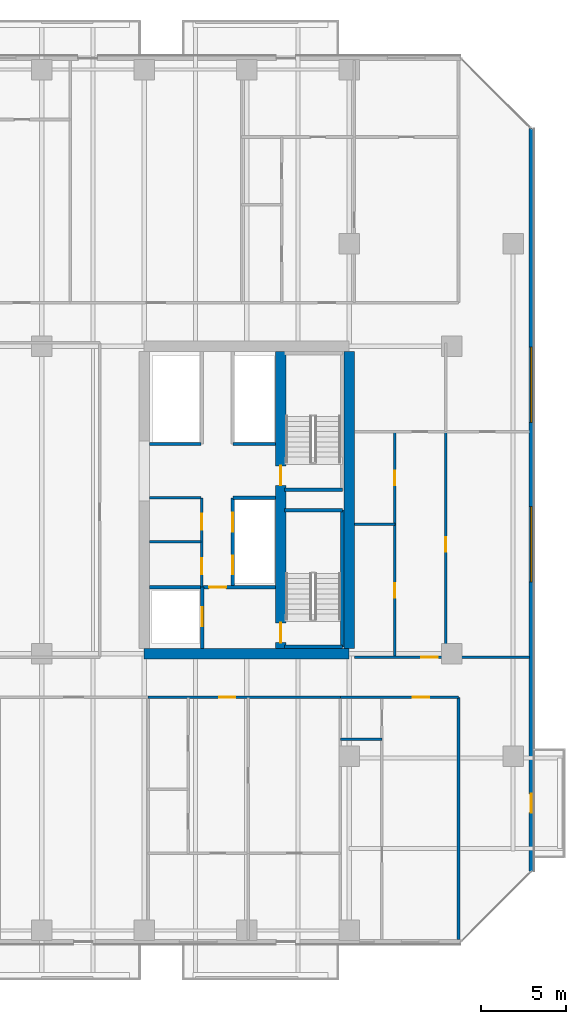
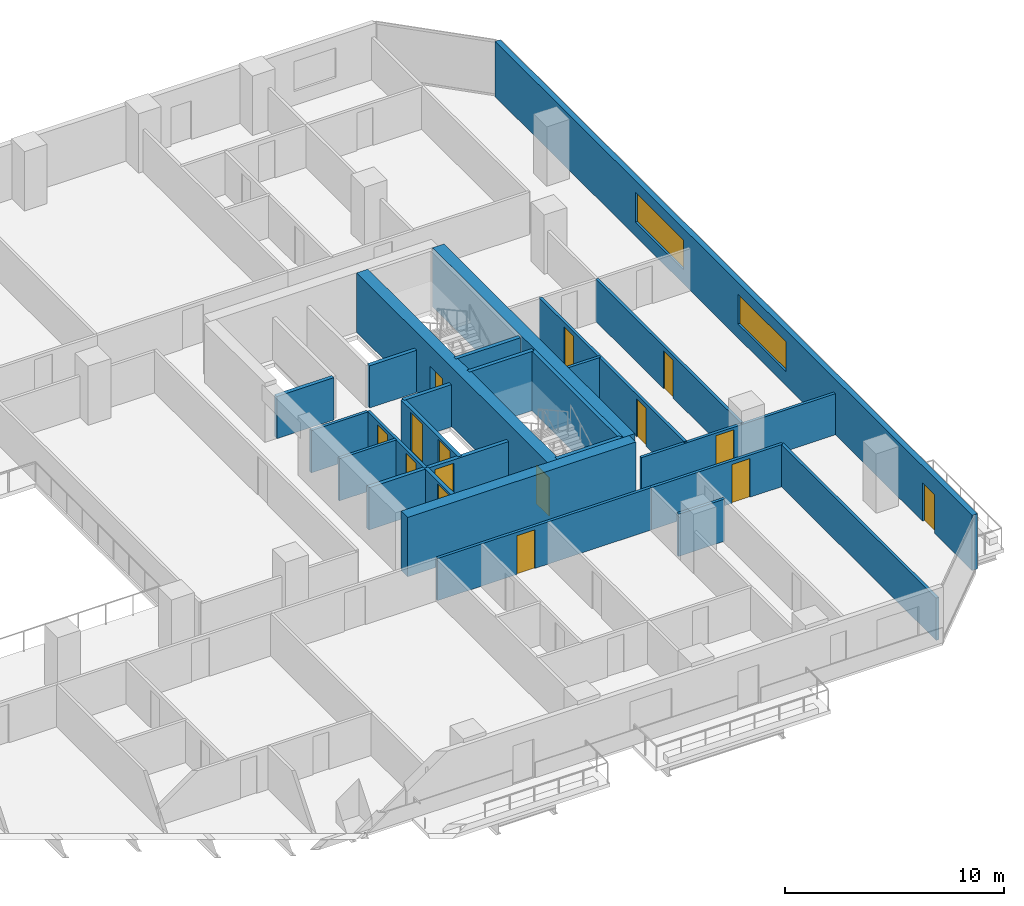
# One storey, part 22 of 33: 25 walls, 15 doors, 2 windows, 17 openings.
"""IFC4 building model written with IfcOpenShell, lengths in metres."""

from ifc_helpers import new_model, si_unit, direction, frame, frame_2d, origin, place, context, subcontext, project, spatial, rectangle, extrude, material, layer, layer_set, type_object, element, fill, save


model = new_model("IFC4")

# Units and contexts
model_context = context("Model", 3, precision=1e-05, world=origin(), true_north=direction((0.0, 1.0)))
body_context = subcontext(model_context, "Body", "Model", "MODEL_VIEW")
ifc_project = project(units=[si_unit("LENGTHUNIT", "METRE"), si_unit("AREAUNIT", "SQUARE_METRE"), si_unit("VOLUMEUNIT", "CUBIC_METRE"), si_unit("PLANEANGLEUNIT", "RADIAN"), si_unit("MASSUNIT", "GRAM", prefix="KILO")], contexts=[model_context])

# Site, building, storey
site_placement = place(None, origin())
site = spatial("IfcSite", under=ifc_project, at=site_placement, CompositionType="ELEMENT")
building_placement = place(site_placement, origin())
building = spatial("IfcBuilding", under=site, at=building_placement, Name="Tanjung Sevakor Pilgrim Tower", CompositionType="ELEMENT")
storey_placement = place(building_placement, frame((0.0, 0.0, 38.93994140625)))
storey = spatial("IfcBuildingStorey", under=building, at=storey_placement, Name="L10", CompositionType="ELEMENT", Elevation=38.93994140625)

# Walls
ifc_material_1 = material(Name="Concrete C60/75", Category="concrete")
ifc_layer_1 = layer(ifc_material_1, 0.60009765625)
ifc_layer_set_1 = layer_set([ifc_layer_1], Name="WALL-CW-600")
wall_type_1 = type_object("IfcWallType", Name="WALL-CW-600", PredefinedType="SHEAR", material=ifc_layer_set_1)
wall_1_placement = place(storey_placement, frame((78.0, 24.60009765625, 0.0), z_axis=(0.0, 0.0, 1.0), x_axis=(1.0, 0.0, 0.0)))
element("IfcWall", 1, at=wall_1_placement, inside=storey, type_object=wall_type_1, Name="L10 E Core South Shear Wall", PredefinedType="SHEAR", context=body_context, shape_type="SweptSolid", body=[
    extrude(rectangle(XDim=12.0, YDim=0.60009765625, at=frame_2d((6.0, 0.0))), origin(), (0.0, 0.0, 1.0), 3.300048828125),
])
wall_2_placement = place(storey_placement, frame((90.0, 24.89990234375, 0.0), z_axis=(0.0, 0.0, 1.0), x_axis=(0.0, 1.0, 0.0)))
element("IfcWall", 2, at=wall_2_placement, inside=storey, type_object=wall_type_1, Name="L10 E Core Outer Shear Wall", PredefinedType="SHEAR", context=body_context, shape_type="SweptSolid", body=[
    extrude(rectangle(XDim=17.400146484375, YDim=0.60009765625, at=frame_2d((8.7001953125, 0.0))), origin(), (0.0, 0.0, 1.0), 3.300048828125),
])

# Wall, openings, doors
wall_3_placement = place(storey_placement, frame((86.0, 24.89990234375, 0.0), z_axis=(0.0, 0.0, 1.0), x_axis=(0.0, 1.0, 0.0)))
wall_3 = element("IfcWall", 3, at=wall_3_placement, inside=storey, type_object=wall_type_1, Name="L10 E Core Stair Spine Wall", PredefinedType="SHEAR", context=body_context, shape_type="SweptSolid", body=[
    extrude(rectangle(XDim=17.400146484375, YDim=0.60009765625, at=frame_2d((8.7001953125, 0.0))), origin(), (0.0, 0.0, 1.0), 3.300048828125),
])
opening_1_placement = place(wall_3_placement, frame((0.35009765625, 0.0, 0.0)))
opening_1 = element("IfcOpeningElement", 4, at=opening_1_placement, cuts=wall_3, Name="Opening ID-ST1", PredefinedType="OPENING", context=body_context, shape_type="SweptSolid", body=[
    extrude(rectangle(XDim=1.14990234375, YDim=2.14990234375, at=frame_2d((0.574951171875, 1.074951171875))), frame((0.0, 0.31005859375, 0.0), z_axis=(0.0, -1.0, 0.0), x_axis=(1.0, 0.0, 0.0)), (0.0, 0.0, 1.0), 0.6201171875),
])
opening_2_placement = place(wall_3_placement, frame((9.550048828125, 0.0, 0.0)))
opening_2 = element("IfcOpeningElement", 5, at=opening_2_placement, cuts=wall_3, Name="Opening ID-ST1", PredefinedType="OPENING", context=body_context, shape_type="SweptSolid", body=[
    extrude(rectangle(XDim=1.14990234375, YDim=2.14990234375, at=frame_2d((0.574951171875, 1.074951171875))), frame((0.0, 0.31005859375, 0.0), z_axis=(0.0, -1.0, 0.0), x_axis=(1.0, 0.0, 0.0)), (0.0, 0.0, 1.0), 0.6201171875),
])
ifc_material_2 = material(Name="Fire-Rated Steel S355J2", Category="steel")
door_type_1 = type_object("IfcDoorType", Name="DT-FIRE-1150", OperationType="NOTDEFINED", PredefinedType="DOOR", material=ifc_material_2)
door_1_placement = place(opening_1_placement, origin())
door_1 = element("IfcDoor", 6, at=door_1_placement, inside=storey, type_object=door_type_1, Name="L10 TS-E1 Stair Fire Door", OperationType="SINGLE_SWING_RIGHT", OverallHeight=2.14990234375, OverallWidth=1.14990234375, PredefinedType="DOOR", context=body_context, shape_type="SweptSolid", body=[
    extrude(rectangle(XDim=1.14990234375, YDim=2.14990234375, at=frame_2d((0.574951171875, 1.074951171875))), frame((0.0, 0.02490234375, 0.0), z_axis=(0.0, -1.0, 0.0), x_axis=(1.0, 0.0, 0.0)), (0.0, 0.0, 1.0), 0.050048828125),
])
fill(opening_1, door_1)
door_2_placement = place(opening_2_placement, origin())
door_2 = element("IfcDoor", 7, at=door_2_placement, inside=storey, type_object=door_type_1, Name="L10 TS-E2 Stair Fire Door", OperationType="SINGLE_SWING_LEFT", OverallHeight=2.14990234375, OverallWidth=1.14990234375, PredefinedType="DOOR", context=body_context, shape_type="SweptSolid", body=[
    extrude(rectangle(XDim=1.14990234375, YDim=2.14990234375, at=frame_2d((0.574951171875, 1.074951171875))), frame((0.0, 0.02490234375, 0.0), z_axis=(0.0, -1.0, 0.0), x_axis=(1.0, 0.0, 0.0)), (0.0, 0.0, 1.0), 0.050048828125),
])
fill(opening_2, door_2)

# Walls
ifc_material_3 = material(Name="Concrete C40/50", Category="concrete")
ifc_layer_2 = layer(ifc_material_3, 0.14990234375)
ifc_layer_set_2 = layer_set([ifc_layer_2], Name="WT-COMP-150")
wall_type_2 = type_object("IfcWallType", Name="WT-COMP-150", PredefinedType="SOLIDWALL", material=ifc_layer_set_2)
for number, where, z_axis, x_axis, name in (
    (8, (78.320068359375, 31.14990234375, 0.0), (0.0, 0.0, 1.0), (1.0, 0.0, 0.0), "L10 Partition IW-L10-016"),
    (9, (78.320068359375, 33.719970703125, 0.0), (0.0, 0.0, 1.0), (1.0, 0.0, 0.0), "L10 Partition IW-L10-017"),
):
    element("IfcWall", number, at=place(storey_placement, frame(where, z_axis=z_axis, x_axis=x_axis)), inside=storey, type_object=wall_type_2, Name=name, PredefinedType="SOLIDWALL", context=body_context, shape_type="SweptSolid", body=[
        extrude(rectangle(XDim=3.0, YDim=0.14990234375, at=frame_2d((1.5, 0.0))), origin(), (0.0, 0.0, 1.0), 2.35009765625),
    ])

# Wall, openings, doors
wall_4_placement = place(storey_placement, frame((81.3798828125, 28.5, 0.0), z_axis=(0.0, 0.0, 1.0), x_axis=(0.0, 1.0, 0.0)))
wall_4 = element("IfcWall", 10, at=wall_4_placement, inside=storey, type_object=wall_type_2, Name="L10 Partition IW-L10-018", PredefinedType="SOLIDWALL", context=body_context, shape_type="SweptSolid", body=[
    extrude(rectangle(XDim=5.219970703125, YDim=0.14990234375, at=frame_2d((2.60986328125, 0.0))), origin(), (0.0, 0.0, 1.0), 2.35009765625),
])
opening_3_placement = place(wall_4_placement, frame((0.75, 0.0, 0.0)))
opening_3 = element("IfcOpeningElement", 11, at=opening_3_placement, cuts=wall_4, Name="Opening ID-FD2", PredefinedType="OPENING", context=body_context, shape_type="SweptSolid", body=[
    extrude(rectangle(XDim=0.949951171875, YDim=2.14990234375, at=frame_2d((0.47509765625, 1.074951171875))), frame((0.0, 0.0849609375, 0.0), z_axis=(0.0, -1.0, 0.0), x_axis=(1.0, 0.0, 0.0)), (0.0, 0.0, 1.0), 0.169921875),
])
opening_4_placement = place(wall_4_placement, frame((3.35009765625, 0.0, 0.0)))
opening_4 = element("IfcOpeningElement", 12, at=opening_4_placement, cuts=wall_4, Name="Opening ID-FD2", PredefinedType="OPENING", context=body_context, shape_type="SweptSolid", body=[
    extrude(rectangle(XDim=0.949951171875, YDim=2.14990234375, at=frame_2d((0.47509765625, 1.074951171875))), frame((0.0, 0.0849609375, 0.0), z_axis=(0.0, -1.0, 0.0), x_axis=(1.0, 0.0, 0.0)), (0.0, 0.0, 1.0), 0.169921875),
])
ifc_material_4 = material(Name="Fire-Rated Timber", Category="wood")
door_type_2 = type_object("IfcDoorType", Name="DT-FIRE-950", OperationType="NOTDEFINED", PredefinedType="DOOR", material=ifc_material_4)
door_3_placement = place(opening_3_placement, origin())
door_3 = element("IfcDoor", 13, at=door_3_placement, inside=storey, type_object=door_type_2, Name="L10 Accessible WC Door", OperationType="SINGLE_SWING_LEFT", OverallHeight=2.14990234375, OverallWidth=0.949951171875, PredefinedType="DOOR", context=body_context, shape_type="SweptSolid", body=[
    extrude(rectangle(XDim=0.949951171875, YDim=2.14990234375, at=frame_2d((0.47509765625, 1.074951171875))), frame((0.0, 0.02490234375, 0.0), z_axis=(0.0, -1.0, 0.0), x_axis=(1.0, 0.0, 0.0)), (0.0, 0.0, 1.0), 0.050048828125),
])
fill(opening_3, door_3)
door_4_placement = place(opening_4_placement, origin())
door_4 = element("IfcDoor", 14, at=door_4_placement, inside=storey, type_object=door_type_2, Name="L10 Core Service Door", OperationType="SINGLE_SWING_RIGHT", OverallHeight=2.14990234375, OverallWidth=0.949951171875, PredefinedType="DOOR", context=body_context, shape_type="SweptSolid", body=[
    extrude(rectangle(XDim=0.949951171875, YDim=2.14990234375, at=frame_2d((0.47509765625, 1.074951171875))), frame((0.0, 0.02490234375, 0.0), z_axis=(0.0, -1.0, 0.0), x_axis=(1.0, 0.0, 0.0)), (0.0, 0.0, 1.0), 0.050048828125),
])
fill(opening_4, door_4)

# Wall, opening, door
wall_5_placement = place(storey_placement, frame((90.320068359375, 24.39990234375, 0.0), z_axis=(0.0, 0.0, 1.0), x_axis=(1.0, 0.0, 0.0)))
wall_5 = element("IfcWall", 15, at=wall_5_placement, inside=storey, type_object=wall_type_2, Name="L10 Partition IW-L10-037", PredefinedType="SOLIDWALL", context=body_context, shape_type="SweptSolid", body=[
    extrude(rectangle(XDim=10.239990234375, YDim=0.14990234375, at=frame_2d((5.1201171875, 0.0))), origin(), (0.0, 0.0, 1.0), 2.295166015625),
])
opening_5_placement = place(wall_5_placement, frame((3.91259765625, 0.0, 0.0)))
opening_5 = element("IfcOpeningElement", 16, at=opening_5_placement, cuts=wall_5, Name="Opening ID-FD2", PredefinedType="OPENING", context=body_context, shape_type="SweptSolid", body=[
    extrude(rectangle(XDim=0.949951171875, YDim=2.14990234375, at=frame_2d((0.47509765625, 1.074951171875))), frame((0.0, 0.0849609375, 0.0), z_axis=(0.0, -1.0, 0.0), x_axis=(1.0, 0.0, 0.0)), (0.0, 0.0, 1.0), 0.169921875),
])
door_5_placement = place(opening_5_placement, origin())
door_5 = element("IfcDoor", 17, at=door_5_placement, inside=storey, type_object=door_type_2, Name="Suite Entrance", OperationType="SINGLE_SWING_LEFT", OverallHeight=2.14990234375, OverallWidth=0.949951171875, PredefinedType="DOOR", context=body_context, shape_type="SweptSolid", body=[
    extrude(rectangle(XDim=0.949951171875, YDim=2.14990234375, at=frame_2d((0.47509765625, 1.074951171875))), frame((0.0, 0.02490234375, 0.0), z_axis=(0.0, -1.0, 0.0), x_axis=(1.0, 0.0, 0.0)), (0.0, 0.0, 1.0), 0.050048828125),
])
fill(opening_5, door_5)

# Wall
wall_6_placement = place(storey_placement, frame((96.39990234375, 7.8798828125, 0.0), z_axis=(0.0, 0.0, 1.0), x_axis=(0.0, 1.0, 0.0)))
element("IfcWall", 18, at=wall_6_placement, inside=storey, type_object=wall_type_2, Name="L10 Partition IW-L10-058", PredefinedType="SOLIDWALL", context=body_context, shape_type="SweptSolid", body=[
    extrude(rectangle(XDim=14.170166015625, YDim=0.14990234375, at=frame_2d((7.0849609375, 0.0))), origin(), (0.0, 0.0, 1.0), 2.35009765625),
])

# Wall, opening, door
wall_7_placement = place(storey_placement, frame((78.227294921875, 22.050048828125, 0.0), z_axis=(0.0, 0.0, 1.0), x_axis=(1.0, 0.0, 0.0)))
wall_7 = element("IfcWall", 19, at=wall_7_placement, inside=storey, type_object=wall_type_2, Name="L10 Partition IW-L10-075", PredefinedType="SOLIDWALL", context=body_context, shape_type="SweptSolid", body=[
    extrude(rectangle(XDim=11.261962890625, YDim=0.14990234375, at=frame_2d((5.630859375, 0.0))), origin(), (0.0, 0.0, 1.0), 2.35009765625),
])
opening_6_placement = place(wall_7_placement, frame((4.16796875, 0.0, 0.0)))
opening_6 = element("IfcOpeningElement", 20, at=opening_6_placement, cuts=wall_7, Name="Opening ID-FD2", PredefinedType="OPENING", context=body_context, shape_type="SweptSolid", body=[
    extrude(rectangle(XDim=0.949951171875, YDim=2.14990234375, at=frame_2d((0.47509765625, 1.074951171875))), frame((0.0, 0.0849609375, 0.0), z_axis=(0.0, -1.0, 0.0), x_axis=(1.0, 0.0, 0.0)), (0.0, 0.0, 1.0), 0.169921875),
])
door_6_placement = place(opening_6_placement, origin())
door_6 = element("IfcDoor", 21, at=door_6_placement, inside=storey, type_object=door_type_2, Name="Suite Entrance", OperationType="SINGLE_SWING_LEFT", OverallHeight=2.14990234375, OverallWidth=0.949951171875, PredefinedType="DOOR", context=body_context, shape_type="SweptSolid", body=[
    extrude(rectangle(XDim=0.949951171875, YDim=2.14990234375, at=frame_2d((0.47509765625, 1.074951171875))), frame((0.0, 0.02490234375, 0.0), z_axis=(0.0, -1.0, 0.0), x_axis=(1.0, 0.0, 0.0)), (0.0, 0.0, 1.0), 0.050048828125),
])
fill(opening_6, door_6)

wall_8_placement = place(storey_placement, frame((89.4892578125, 22.050048828125, 0.0), z_axis=(0.0, 0.0, 1.0), x_axis=(1.0, 0.0, 0.0)))
wall_8 = element("IfcWall", 22, at=wall_8_placement, inside=storey, type_object=wall_type_2, Name="L10 Partition IW-L10-078", PredefinedType="SOLIDWALL", context=body_context, shape_type="SweptSolid", body=[
    extrude(rectangle(XDim=6.91064453125, YDim=0.14990234375, at=frame_2d((3.455322265625, 0.0))), origin(), (0.0, 0.0, 1.0), 2.35009765625),
])
opening_7_placement = place(wall_8_placement, frame((4.235595703125, 0.0, 0.0)))
opening_7 = element("IfcOpeningElement", 23, at=opening_7_placement, cuts=wall_8, Name="Opening ID-FD2", PredefinedType="OPENING", context=body_context, shape_type="SweptSolid", body=[
    extrude(rectangle(XDim=0.949951171875, YDim=2.14990234375, at=frame_2d((0.47509765625, 1.074951171875))), frame((0.0, 0.0849609375, 0.0), z_axis=(0.0, -1.0, 0.0), x_axis=(1.0, 0.0, 0.0)), (0.0, 0.0, 1.0), 0.169921875),
])
door_7_placement = place(opening_7_placement, origin())
door_7 = element("IfcDoor", 24, at=door_7_placement, inside=storey, type_object=door_type_2, Name="Hostel Quad Entrance", OperationType="SINGLE_SWING_RIGHT", OverallHeight=2.14990234375, OverallWidth=0.949951171875, PredefinedType="DOOR", context=body_context, shape_type="SweptSolid", body=[
    extrude(rectangle(XDim=0.949951171875, YDim=2.14990234375, at=frame_2d((0.47509765625, 1.074951171875))), frame((0.0, 0.02490234375, 0.0), z_axis=(0.0, -1.0, 0.0), x_axis=(1.0, 0.0, 0.0)), (0.0, 0.0, 1.0), 0.050048828125),
])
fill(opening_7, door_7)

# Wall, openings, door, windows
ifc_material_5 = material(Name="Precast concrete C45/55", Category="concrete")
ifc_layer_3 = layer(ifc_material_5, 0.280029296875)
ifc_layer_set_3 = layer_set([ifc_layer_3], Name="WT-EW-STN2")
wall_type_3 = type_object("IfcWallType", Name="WT-EW-STN2", PredefinedType="SOLIDWALL", material=ifc_layer_set_3)
wall_9_placement = place(storey_placement, frame((100.659912109375, 11.85791015625, 0.0), z_axis=(0.0, 0.0, 1.0), x_axis=(0.0, 1.0, 0.0)))
wall_9 = element("IfcWall", 25, at=wall_9_placement, inside=storey, type_object=wall_type_3, Name="L10 MAIN Exterior Wall 7", PredefinedType="SOLIDWALL", context=body_context, shape_type="SweptSolid", body=[
    extrude(rectangle(XDim=43.484130859375, YDim=0.280029296875, at=frame_2d((21.7421875, 0.0))), origin(), (0.0, 0.0, 1.0), 3.080078125),
])
opening_8_placement = place(wall_9_placement, frame((3.44189453125, 0.0, 0.0)))
opening_8 = element("IfcOpeningElement", 26, at=opening_8_placement, cuts=wall_9, Name="Opening ED-BAL-1100", PredefinedType="OPENING", context=body_context, shape_type="SweptSolid", body=[
    extrude(rectangle(XDim=1.10009765625, YDim=2.14990234375, at=frame_2d((0.550048828125, 1.074951171875))), frame((0.0, 0.14990234375, 0.0), z_axis=(0.0, -1.0, 0.0), x_axis=(1.0, 0.0, 0.0)), (0.0, 0.0, 1.0), 0.300048828125),
])
opening_9_placement = place(wall_9_placement, frame((16.951904296875, 0.0, 0.780029296875)))
opening_9 = element("IfcOpeningElement", 27, at=opening_9_placement, cuts=wall_9, Name="Opening WN-ENDW-1660", PredefinedType="OPENING", context=body_context, shape_type="SweptSolid", body=[
    extrude(rectangle(XDim=4.39990234375, YDim=1.659912109375, at=frame_2d((2.199951171875, 0.830078125))), frame((0.0, 0.14990234375, 0.0), z_axis=(0.0, -1.0, 0.0), x_axis=(1.0, 0.0, 0.0)), (0.0, 0.0, 1.0), 0.300048828125),
])
opening_10_placement = place(wall_9_placement, frame((26.2919921875, 0.0, 0.780029296875)))
opening_10 = element("IfcOpeningElement", 28, at=opening_10_placement, cuts=wall_9, Name="Opening WN-ENDW-1660", PredefinedType="OPENING", context=body_context, shape_type="SweptSolid", body=[
    extrude(rectangle(XDim=4.39990234375, YDim=1.659912109375, at=frame_2d((2.199951171875, 0.830078125))), frame((0.0, 0.14990234375, 0.0), z_axis=(0.0, -1.0, 0.0), x_axis=(1.0, 0.0, 0.0)), (0.0, 0.0, 1.0), 0.300048828125),
])
ifc_material_6 = material(Name="Anodised Aluminium and Laminated Glass", Category="aluminium")
door_type_3 = type_object("IfcDoorType", Name="DTYP-ED-BAL-1100", OperationType="NOTDEFINED", PredefinedType="DOOR", material=ifc_material_6)
door_8_placement = place(opening_8_placement, frame((1.10009765625, 0.0, 0.0), z_axis=(0.0, 0.0, 1.0), x_axis=(-1.0, 0.0, 0.0)))
door_8 = element("IfcDoor", 29, at=door_8_placement, inside=storey, type_object=door_type_3, Name="L10 East Loggia Door MAIN-E1", OperationType="SINGLE_SWING_RIGHT", OverallHeight=2.14990234375, OverallWidth=1.10009765625, PredefinedType="DOOR", context=body_context, shape_type="SweptSolid", body=[
    extrude(rectangle(XDim=1.10009765625, YDim=2.14990234375, at=frame_2d((0.550048828125, 1.074951171875))), frame((0.0, 0.02490234375, 0.0), z_axis=(0.0, -1.0, 0.0), x_axis=(1.0, 0.0, 0.0)), (0.0, 0.0, 1.0), 0.050048828125),
])
fill(opening_8, door_8)
ifc_material_7 = material(Name="Thermally Broken Aluminium and Low-E Glass", Category="aluminium")
window_type = type_object("IfcWindowType", Name="WTYP-WN-ENDW-1660", PartitioningType="DOUBLE_PANEL_VERTICAL", PredefinedType="WINDOW", material=ifc_material_7)
window_1_placement = place(opening_9_placement, origin())
window_1 = element("IfcWindow", 30, at=window_1_placement, inside=storey, type_object=window_type, Name="L10 Facade Window 01", OverallHeight=1.659912109375, OverallWidth=4.39990234375, PartitioningType="SINGLE_PANEL", PredefinedType="WINDOW", context=body_context, shape_type="SweptSolid", body=[
    extrude(rectangle(XDim=4.39990234375, YDim=1.659912109375, at=frame_2d((2.199951171875, 0.830078125))), frame((0.0, 0.030029296875, 0.0), z_axis=(0.0, -1.0, 0.0), x_axis=(1.0, 0.0, 0.0)), (0.0, 0.0, 1.0), 0.06005859375),
])
fill(opening_9, window_1)
window_2_placement = place(opening_10_placement, origin())
window_2 = element("IfcWindow", 31, at=window_2_placement, inside=storey, type_object=window_type, Name="L10 Facade Window 02", OverallHeight=1.659912109375, OverallWidth=4.39990234375, PartitioningType="SINGLE_PANEL", PredefinedType="WINDOW", context=body_context, shape_type="SweptSolid", body=[
    extrude(rectangle(XDim=4.39990234375, YDim=1.659912109375, at=frame_2d((2.199951171875, 0.830078125))), frame((0.0, 0.030029296875, 0.0), z_axis=(0.0, -1.0, 0.0), x_axis=(1.0, 0.0, 0.0)), (0.0, 0.0, 1.0), 0.06005859375),
])
fill(opening_10, window_2)

# Walls
ifc_material_8 = material(Name="Concrete C40/50", Category="concrete")
ifc_layer_4 = layer(ifc_material_8, 0.199951171875)
ifc_layer_set_4 = layer_set([ifc_layer_4], Name="WT-FIRE-200")
wall_type_4 = type_object("IfcWallType", Name="WT-FIRE-200", PredefinedType="SOLIDWALL", material=ifc_layer_set_4)
wall_10_placement = place(storey_placement, frame((86.199951171875, 25.0, 0.0), z_axis=(0.0, 0.0, 1.0), x_axis=(1.0, 0.0, 0.0)))
element("IfcWall", 32, at=wall_10_placement, inside=storey, type_object=wall_type_4, Name="L10 TS-E1 Shaft Wall 1", PredefinedType="SOLIDWALL", context=body_context, shape_type="SweptSolid", body=[
    extrude(rectangle(XDim=3.400146484375, YDim=0.199951171875, at=frame_2d((1.7001953125, 0.0))), origin(), (0.0, 0.0, 1.0), 3.300048828125),
])
wall_11_placement = place(storey_placement, frame((89.60009765625, 25.0, 0.0), z_axis=(0.0, 0.0, 1.0), x_axis=(0.0, 1.0, 0.0)))
element("IfcWall", 33, at=wall_11_placement, inside=storey, type_object=wall_type_4, Name="L10 TS-E1 Shaft Wall 2", PredefinedType="SOLIDWALL", context=body_context, shape_type="SweptSolid", body=[
    extrude(rectangle(XDim=8.0, YDim=0.199951171875, at=frame_2d((4.0, 0.0))), origin(), (0.0, 0.0, 1.0), 3.300048828125),
])
for number, where, z_axis, x_axis, name in (
    (34, (89.60009765625, 33.0, 0.0), (0.0, 0.0, 1.0), (-1.0, 0.0, 0.0), "L10 TS-E1 Shaft Wall 3"),
    (35, (86.199951171875, 34.199951171875, 0.0), (0.0, 0.0, 1.0), (1.0, 0.0, 0.0), "L10 TS-E2 Shaft Wall 1"),
):
    element("IfcWall", number, at=place(storey_placement, frame(where, z_axis=z_axis, x_axis=x_axis)), inside=storey, type_object=wall_type_4, Name=name, PredefinedType="SOLIDWALL", context=body_context, shape_type="SweptSolid", body=[
        extrude(rectangle(XDim=3.400146484375, YDim=0.199951171875, at=frame_2d((1.7001953125, 0.0))), origin(), (0.0, 0.0, 1.0), 3.300048828125),
    ])

# Wall, opening, door
ifc_material_9 = material(Name="Concrete C40/50", Category="concrete")
ifc_layer_5 = layer(ifc_material_9, 0.199951171875)
ifc_layer_set_5 = layer_set([ifc_layer_5], Name="WT-FPRT-200")
wall_type_5 = type_object("IfcWallType", Name="WT-FPRT-200", PredefinedType="SOLIDWALL", material=ifc_layer_set_5)
wall_12_placement = place(storey_placement, frame((81.39990234375, 24.919921875, 0.0), z_axis=(0.0, 0.0, 1.0), x_axis=(0.0, 1.0, 0.0)))
wall_12 = element("IfcWall", 36, at=wall_12_placement, inside=storey, type_object=wall_type_5, Name="L10 Partition IW-L10-012", PredefinedType="SOLIDWALL", context=body_context, shape_type="SweptSolid", body=[
    extrude(rectangle(XDim=3.580078125, YDim=0.199951171875, at=frame_2d((1.7900390625, 0.0))), origin(), (0.0, 0.0, 1.0), 2.35009765625),
])
opening_11_placement = place(wall_12_placement, frame((1.300048828125, 0.0, 0.0)))
opening_11 = element("IfcOpeningElement", 37, at=opening_11_placement, cuts=wall_12, Name="Opening LD-1100", PredefinedType="OPENING", context=body_context, shape_type="SweptSolid", body=[
    extrude(rectangle(XDim=1.10009765625, YDim=2.199951171875, at=frame_2d((0.550048828125, 1.10009765625))), frame((0.0, 0.10986328125, 0.0), z_axis=(0.0, -1.0, 0.0), x_axis=(1.0, 0.0, 0.0)), (0.0, 0.0, 1.0), 0.219970703125),
])
ifc_material_10 = material(Name="Brushed Stainless Steel S355J2", Category="steel")
door_type_4 = type_object("IfcDoorType", Name="DT-LIFT-1100", OperationType="SLIDING_TO_LEFT", PredefinedType="DOOR", material=ifc_material_10)
door_9_placement = place(opening_11_placement, origin())
door_9 = element("IfcDoor", 38, at=door_9_placement, inside=storey, type_object=door_type_4, Name="LD-FL-E", OperationType="SLIDING_TO_LEFT", OverallHeight=2.199951171875, OverallWidth=1.10009765625, PredefinedType="DOOR", context=body_context, shape_type="SweptSolid", body=[
    extrude(rectangle(XDim=1.10009765625, YDim=2.199951171875, at=frame_2d((0.550048828125, 1.10009765625))), frame((0.0, 0.02490234375, 0.0), z_axis=(0.0, -1.0, 0.0), x_axis=(1.0, 0.0, 0.0)), (0.0, 0.0, 1.0), 0.050048828125),
])
fill(opening_11, door_9)

wall_13_placement = place(storey_placement, frame((78.320068359375, 28.5, 0.0), z_axis=(0.0, 0.0, 1.0), x_axis=(1.0, 0.0, 0.0)))
wall_13 = element("IfcWall", 39, at=wall_13_placement, inside=storey, type_object=wall_type_5, Name="L10 Partition IW-L10-013", PredefinedType="SOLIDWALL", context=body_context, shape_type="SweptSolid", body=[
    extrude(rectangle(XDim=7.35986328125, YDim=0.199951171875, at=frame_2d((3.679931640625, 0.0))), origin(), (0.0, 0.0, 1.0), 2.35009765625),
])
opening_12_placement = place(wall_13_placement, frame((3.47998046875, 0.0, 0.0)))
opening_12 = element("IfcOpeningElement", 40, at=opening_12_placement, cuts=wall_13, Name="Opening ID-FD1", PredefinedType="OPENING", context=body_context, shape_type="SweptSolid", body=[
    extrude(rectangle(XDim=1.0, YDim=2.14990234375, at=frame_2d((0.5, 1.074951171875))), frame((0.0, 0.10986328125, 0.0), z_axis=(0.0, -1.0, 0.0), x_axis=(1.0, 0.0, 0.0)), (0.0, 0.0, 1.0), 0.219970703125),
])
ifc_material_11 = material(Name="Fire-Rated Steel S355J2", Category="steel")
door_type_5 = type_object("IfcDoorType", Name="DT-FIRE-1000", OperationType="NOTDEFINED", PredefinedType="DOOR", material=ifc_material_11)
door_10_placement = place(opening_12_placement, origin())
door_10 = element("IfcDoor", 41, at=door_10_placement, inside=storey, type_object=door_type_5, Name="Fire Lobby Door E", OperationType="SINGLE_SWING_RIGHT", OverallHeight=2.14990234375, OverallWidth=1.0, PredefinedType="DOOR", context=body_context, shape_type="SweptSolid", body=[
    extrude(rectangle(XDim=1.0, YDim=2.14990234375, at=frame_2d((0.5, 1.074951171875))), frame((0.0, 0.02490234375, 0.0), z_axis=(0.0, -1.0, 0.0), x_axis=(1.0, 0.0, 0.0)), (0.0, 0.0, 1.0), 0.050048828125),
])
fill(opening_12, door_10)

# Wall
wall_14_placement = place(storey_placement, frame((83.199951171875, 33.719970703125, 0.0), z_axis=(0.0, 0.0, 1.0), x_axis=(1.0, 0.0, 0.0)))
element("IfcWall", 42, at=wall_14_placement, inside=storey, type_object=wall_type_5, Name="L10 Partition IW-L10-014", PredefinedType="SOLIDWALL", context=body_context, shape_type="SweptSolid", body=[
    extrude(rectangle(XDim=2.47998046875, YDim=0.199951171875, at=frame_2d((1.239990234375, 0.0))), origin(), (0.0, 0.0, 1.0), 2.35009765625),
])

# Wall, openings, doors
wall_15_placement = place(storey_placement, frame((83.179931640625, 28.5, 0.0), z_axis=(0.0, 0.0, 1.0), x_axis=(0.0, 1.0, 0.0)))
wall_15 = element("IfcWall", 43, at=wall_15_placement, inside=storey, type_object=wall_type_5, Name="L10 Partition IW-L10-015", PredefinedType="SOLIDWALL", context=body_context, shape_type="SweptSolid", body=[
    extrude(rectangle(XDim=5.219970703125, YDim=0.199951171875, at=frame_2d((2.60986328125, 0.0))), origin(), (0.0, 0.0, 1.0), 2.35009765625),
])
opening_13_placement = place(wall_15_placement, frame((0.75, 0.0, 0.0)))
opening_13 = element("IfcOpeningElement", 44, at=opening_13_placement, cuts=wall_15, Name="Opening LD-1100", PredefinedType="OPENING", context=body_context, shape_type="SweptSolid", body=[
    extrude(rectangle(XDim=1.10009765625, YDim=2.199951171875, at=frame_2d((0.550048828125, 1.10009765625))), frame((0.0, 0.10986328125, 0.0), z_axis=(0.0, -1.0, 0.0), x_axis=(1.0, 0.0, 0.0)), (0.0, 0.0, 1.0), 0.219970703125),
])
opening_14_placement = place(wall_15_placement, frame((3.25, 0.0, 0.0)))
opening_14 = element("IfcOpeningElement", 45, at=opening_14_placement, cuts=wall_15, Name="Opening LD-1100", PredefinedType="OPENING", context=body_context, shape_type="SweptSolid", body=[
    extrude(rectangle(XDim=1.10009765625, YDim=2.199951171875, at=frame_2d((0.550048828125, 1.10009765625))), frame((0.0, 0.10986328125, 0.0), z_axis=(0.0, -1.0, 0.0), x_axis=(1.0, 0.0, 0.0)), (0.0, 0.0, 1.0), 0.219970703125),
])
door_11_placement = place(opening_13_placement, origin())
door_11 = element("IfcDoor", 46, at=door_11_placement, inside=storey, type_object=door_type_4, Name="LD-PLL1-E", OperationType="SLIDING_TO_LEFT", OverallHeight=2.199951171875, OverallWidth=1.10009765625, PredefinedType="DOOR", context=body_context, shape_type="SweptSolid", body=[
    extrude(rectangle(XDim=1.10009765625, YDim=2.199951171875, at=frame_2d((0.550048828125, 1.10009765625))), frame((0.0, 0.02490234375, 0.0), z_axis=(0.0, -1.0, 0.0), x_axis=(1.0, 0.0, 0.0)), (0.0, 0.0, 1.0), 0.050048828125),
])
fill(opening_13, door_11)
door_12_placement = place(opening_14_placement, origin())
door_12 = element("IfcDoor", 47, at=door_12_placement, inside=storey, type_object=door_type_4, Name="LD-PLL2-E", OperationType="SLIDING_TO_RIGHT", OverallHeight=2.199951171875, OverallWidth=1.10009765625, PredefinedType="DOOR", context=body_context, shape_type="SweptSolid", body=[
    extrude(rectangle(XDim=1.10009765625, YDim=2.199951171875, at=frame_2d((0.550048828125, 1.10009765625))), frame((0.0, 0.02490234375, 0.0), z_axis=(0.0, -1.0, 0.0), x_axis=(1.0, 0.0, 0.0)), (0.0, 0.0, 1.0), 0.050048828125),
])
fill(opening_14, door_12)

# Walls
wall_16_placement = place(storey_placement, frame((83.199951171875, 36.8798828125, 0.0), z_axis=(0.0, 0.0, 1.0), x_axis=(1.0, 0.0, 0.0)))
element("IfcWall", 48, at=wall_16_placement, inside=storey, type_object=wall_type_5, Name="L10 Partition IW-L10-019", PredefinedType="SOLIDWALL", context=body_context, shape_type="SweptSolid", body=[
    extrude(rectangle(XDim=2.47998046875, YDim=0.199951171875, at=frame_2d((1.239990234375, 0.0))), origin(), (0.0, 0.0, 1.0), 2.35009765625),
])
wall_17_placement = place(storey_placement, frame((78.320068359375, 36.8798828125, 0.0), z_axis=(0.0, 0.0, 1.0), x_axis=(1.0, 0.0, 0.0)))
element("IfcWall", 49, at=wall_17_placement, inside=storey, type_object=wall_type_5, Name="L10 Partition IW-L10-021", PredefinedType="SOLIDWALL", context=body_context, shape_type="SweptSolid", body=[
    extrude(rectangle(XDim=3.0, YDim=0.199951171875, at=frame_2d((1.5, 0.0))), origin(), (0.0, 0.0, 1.0), 2.35009765625),
])

# Wall, opening, door
ifc_material_12 = material(Name="Gypsum Board Partition", Category="gypsum board")
ifc_layer_6 = layer(ifc_material_12, 0.14990234375)
ifc_layer_set_6 = layer_set([ifc_layer_6], Name="WT-PART-150")
wall_type_6 = type_object("IfcWallType", Name="WT-PART-150", PredefinedType="PARTITIONING", material=ifc_layer_set_6)
wall_18_placement = place(storey_placement, frame((95.644775390625, 24.39990234375, 0.0), z_axis=(0.0, 0.0, 1.0), x_axis=(0.0, 1.0, 0.0)))
wall_18 = element("IfcWall", 50, at=wall_18_placement, inside=storey, type_object=wall_type_6, Name="L10 Partition IW-L10-032", PredefinedType="PARTITIONING", context=body_context, shape_type="SweptSolid", body=[
    extrude(rectangle(XDim=13.2001953125, YDim=0.14990234375, at=frame_2d((6.60009765625, 0.0))), origin(), (0.0, 0.0, 1.0), 2.35009765625),
])
opening_15_placement = place(wall_18_placement, frame((6.175048828125, 0.0, 0.0)))
opening_15 = element("IfcOpeningElement", 51, at=opening_15_placement, cuts=wall_18, Name="Opening ID-WC1", PredefinedType="OPENING", context=body_context, shape_type="SweptSolid", body=[
    extrude(rectangle(XDim=0.85009765625, YDim=2.10009765625, at=frame_2d((0.425048828125, 1.050048828125))), frame((0.0, 0.0849609375, 0.0), z_axis=(0.0, -1.0, 0.0), x_axis=(1.0, 0.0, 0.0)), (0.0, 0.0, 1.0), 0.169921875),
])
ifc_material_13 = material(Name="Moisture-Resistant Timber", Category="wood")
door_type_6 = type_object("IfcDoorType", Name="DT-INT-850", OperationType="NOTDEFINED", PredefinedType="DOOR", material=ifc_material_13)
door_13_placement = place(opening_15_placement, origin())
door_13 = element("IfcDoor", 52, at=door_13_placement, inside=storey, type_object=door_type_6, Name="Suite Study Room Door", OperationType="SINGLE_SWING_RIGHT", OverallHeight=2.10009765625, OverallWidth=0.85009765625, PredefinedType="DOOR", context=body_context, shape_type="SweptSolid", body=[
    extrude(rectangle(XDim=0.85009765625, YDim=2.10009765625, at=frame_2d((0.425048828125, 1.050048828125))), frame((0.0, 0.02490234375, 0.0), z_axis=(0.0, -1.0, 0.0), x_axis=(1.0, 0.0, 0.0)), (0.0, 0.0, 1.0), 0.050048828125),
])
fill(opening_15, door_13)

# Wall
wall_19_placement = place(storey_placement, frame((90.320068359375, 32.18798828125, 0.0), z_axis=(0.0, 0.0, 1.0), x_axis=(1.0, 0.0, 0.0)))
element("IfcWall", 53, at=wall_19_placement, inside=storey, type_object=wall_type_6, Name="L10 Partition IW-L10-033", PredefinedType="PARTITIONING", context=body_context, shape_type="SweptSolid", body=[
    extrude(rectangle(XDim=2.349853515625, YDim=0.14990234375, at=frame_2d((1.1748046875, 0.0))), origin(), (0.0, 0.0, 1.0), 2.35009765625),
])

# Wall, openings, doors
wall_20_placement = place(storey_placement, frame((92.669921875, 24.39990234375, 0.0), z_axis=(0.0, 0.0, 1.0), x_axis=(0.0, 1.0, 0.0)))
wall_20 = element("IfcWall", 54, at=wall_20_placement, inside=storey, type_object=wall_type_6, Name="L10 Partition IW-L10-034", PredefinedType="PARTITIONING", context=body_context, shape_type="SweptSolid", body=[
    extrude(rectangle(XDim=13.2001953125, YDim=0.14990234375, at=frame_2d((6.60009765625, 0.0))), origin(), (0.0, 0.0, 1.0), 2.35009765625),
])
opening_16_placement = place(wall_20_placement, frame((3.468994140625, 0.0, 0.0)))
opening_16 = element("IfcOpeningElement", 55, at=opening_16_placement, cuts=wall_20, Name="Opening ID-WC1", PredefinedType="OPENING", context=body_context, shape_type="SweptSolid", body=[
    extrude(rectangle(XDim=0.85009765625, YDim=2.10009765625, at=frame_2d((0.425048828125, 1.050048828125))), frame((0.0, 0.0849609375, 0.0), z_axis=(0.0, -1.0, 0.0), x_axis=(1.0, 0.0, 0.0)), (0.0, 0.0, 1.0), 0.169921875),
])
opening_17_placement = place(wall_20_placement, frame((10.069091796875, 0.0, 0.0)))
opening_17 = element("IfcOpeningElement", 56, at=opening_17_placement, cuts=wall_20, Name="Opening ID-WC1", PredefinedType="OPENING", context=body_context, shape_type="SweptSolid", body=[
    extrude(rectangle(XDim=0.85009765625, YDim=2.10009765625, at=frame_2d((0.425048828125, 1.050048828125))), frame((0.0, 0.0849609375, 0.0), z_axis=(0.0, -1.0, 0.0), x_axis=(1.0, 0.0, 0.0)), (0.0, 0.0, 1.0), 0.169921875),
])
door_14_placement = place(opening_16_placement, origin())
door_14 = element("IfcDoor", 57, at=door_14_placement, inside=storey, type_object=door_type_6, Name="Suite Kitchenette Door", OperationType="SINGLE_SWING_LEFT", OverallHeight=2.10009765625, OverallWidth=0.85009765625, PredefinedType="DOOR", context=body_context, shape_type="SweptSolid", body=[
    extrude(rectangle(XDim=0.85009765625, YDim=2.10009765625, at=frame_2d((0.425048828125, 1.050048828125))), frame((0.0, 0.02490234375, 0.0), z_axis=(0.0, -1.0, 0.0), x_axis=(1.0, 0.0, 0.0)), (0.0, 0.0, 1.0), 0.050048828125),
])
fill(opening_16, door_14)
door_15_placement = place(opening_17_placement, origin())
door_15 = element("IfcDoor", 58, at=door_15_placement, inside=storey, type_object=door_type_6, Name="Suite Bathroom Door", OperationType="SINGLE_SWING_RIGHT", OverallHeight=2.10009765625, OverallWidth=0.85009765625, PredefinedType="DOOR", context=body_context, shape_type="SweptSolid", body=[
    extrude(rectangle(XDim=0.85009765625, YDim=2.10009765625, at=frame_2d((0.425048828125, 1.050048828125))), frame((0.0, 0.02490234375, 0.0), z_axis=(0.0, -1.0, 0.0), x_axis=(1.0, 0.0, 0.0)), (0.0, 0.0, 1.0), 0.050048828125),
])
fill(opening_17, door_15)

# Wall
wall_21_placement = place(storey_placement, frame((89.4892578125, 19.60009765625, 0.0), z_axis=(0.0, 0.0, 1.0), x_axis=(1.0, 0.0, 0.0)))
element("IfcWall", 59, at=wall_21_placement, inside=storey, type_object=wall_type_6, Name="L10 Partition IW-L10-076", PredefinedType="PARTITIONING", context=body_context, shape_type="SweptSolid", body=[
    extrude(rectangle(XDim=2.4306640625, YDim=0.14990234375, at=frame_2d((1.21533203125, 0.0))), origin(), (0.0, 0.0, 1.0), 2.35009765625),
])

save(model, "model.ifc")
